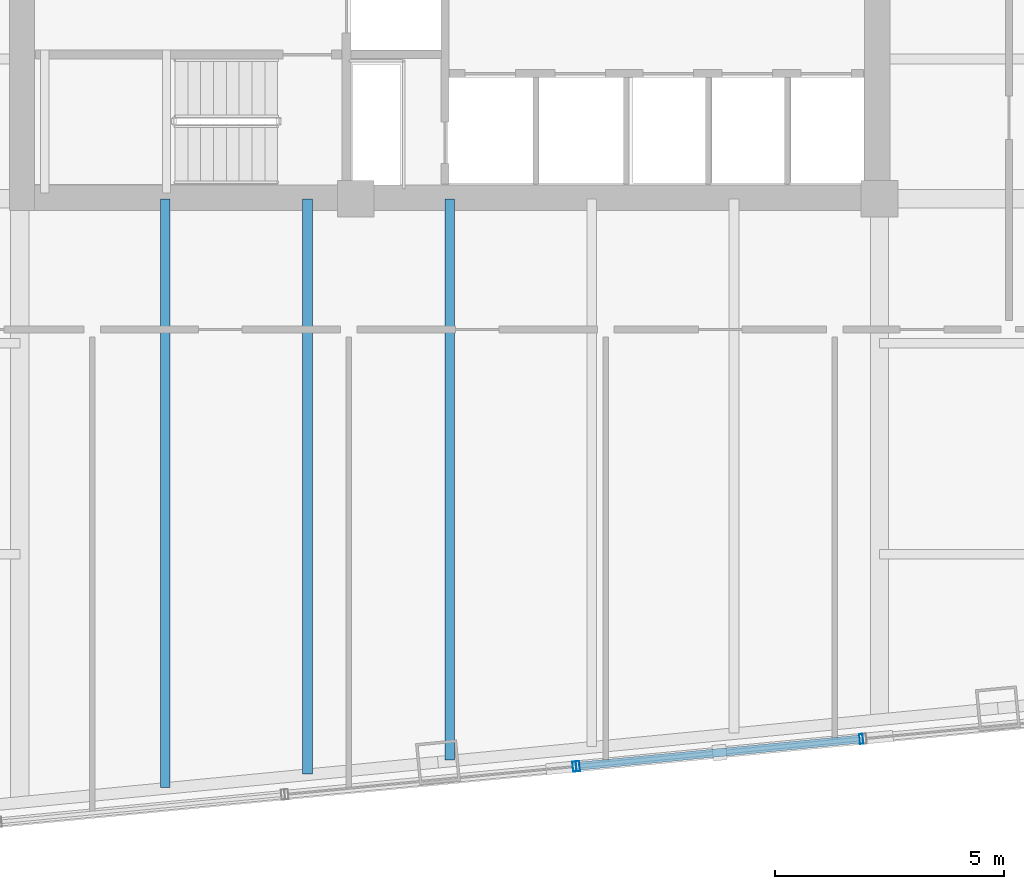
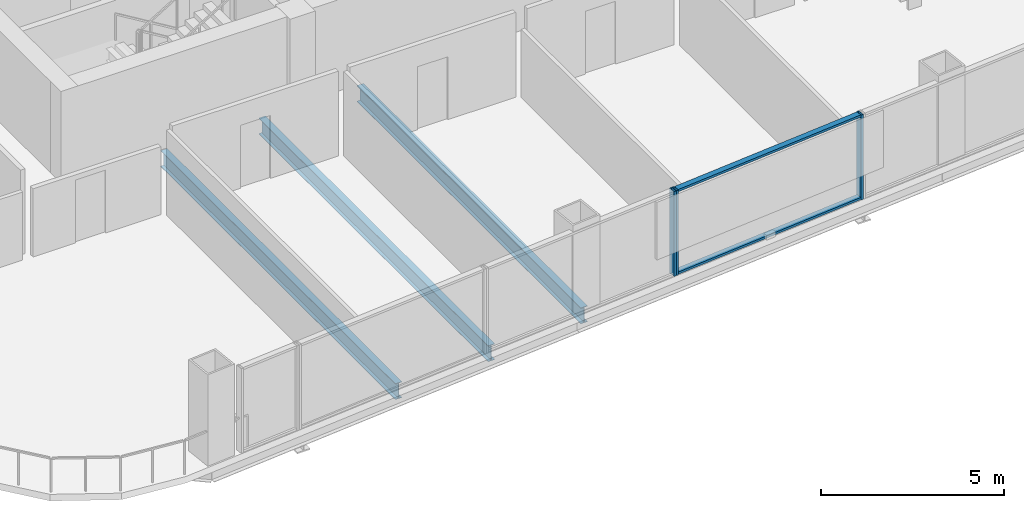
# One storey, part 5 of 34: 5 members, 3 beams, 2 elements without a shape of their own.
"""IFC4 building model written with IfcOpenShell, lengths in metres."""

from ifc_helpers import new_model, si_unit, direction, frame, origin, origin_2d, place, context, subcontext, project, spatial, hollow_rectangle, i_section, extrude, material, layer, layer_set, material_profile, profile_set, type_object, element, aggregate, save


model = new_model("IFC4")

# Units and contexts
model_context = context("Model", 3, precision=1e-05, world=origin(), true_north=direction((0.0, 1.0)))
body_context = subcontext(model_context, "Body", "Model", "MODEL_VIEW")
ifc_project = project(units=[si_unit("LENGTHUNIT", "METRE"), si_unit("AREAUNIT", "SQUARE_METRE"), si_unit("VOLUMEUNIT", "CUBIC_METRE"), si_unit("PLANEANGLEUNIT", "RADIAN"), si_unit("MASSUNIT", "GRAM", prefix="KILO")], contexts=[model_context])

# Site, building, storey
site_placement = place(None, origin())
site = spatial("IfcSite", under=ifc_project, at=site_placement, CompositionType="ELEMENT")
building_placement = place(site_placement, origin())
building = spatial("IfcBuilding", under=site, at=building_placement, Name="Qhalaya Broadcast Tower", CompositionType="ELEMENT")
storey_placement = place(building_placement, frame((0.0, 0.0, 78.60009765625)))
storey = spatial("IfcBuildingStorey", under=building, at=storey_placement, Name="L22", CompositionType="ELEMENT", Elevation=78.60009765625)

# Beams
ifc_material_1 = material(Name="Structural Steel ASTM A992 Grade 50", Category="steel")
ifc_material_profile_1 = material_profile(ifc_material_1, i_section(OverallWidth=0.2099609375, OverallDepth=0.535888671875, WebThickness=0.010986328125, FlangeThickness=0.017333984375, at=origin_2d()), Name="W21X68")
ifc_profile_set_1 = profile_set([ifc_material_profile_1], Name="Structural Steel ASTM A992 Grade 50")
beam_type = type_object("IfcBeamType", Name="Composite Floor Joist J02", PredefinedType="JOIST", material=ifc_profile_set_1)
beam_1_placement = place(storey_placement, frame((-6.199951171875, -21.589111328125, -0.488037109375), z_axis=(0.0, 1.0, 0.0), x_axis=(-1.0, 0.0, 0.0)))
element("IfcBeam", 1, at=beam_1_placement, inside=storey, type_object=beam_type, Name="L22 J02 L22-JNS1-1", PredefinedType="JOIST", context=body_context, shape_type="SweptSolid", body=[
    extrude(i_section(OverallWidth=0.2099609375, OverallDepth=0.535888671875, WebThickness=0.010986328125, FlangeThickness=0.017333984375, at=origin_2d()), origin(), (0.0, 0.0, 1.0), 12.839111328125),
])
beam_2_placement = place(storey_placement, frame((-3.10009765625, -21.290771484375, -0.488037109375), z_axis=(0.0, 1.0, 0.0), x_axis=(-1.0, 0.0, 0.0)))
element("IfcBeam", 2, at=beam_2_placement, inside=storey, type_object=beam_type, Name="L22 J02 L22-JNS2-1", PredefinedType="JOIST", context=body_context, shape_type="SweptSolid", body=[
    extrude(i_section(OverallWidth=0.2099609375, OverallDepth=0.535888671875, WebThickness=0.010986328125, FlangeThickness=0.017333984375, at=origin_2d()), origin(), (0.0, 0.0, 1.0), 12.540771484375),
])
beam_3_placement = place(storey_placement, frame((0.0, -20.9921875, -0.488037109375), z_axis=(0.0, 1.0, 0.0), x_axis=(-1.0, 0.0, 0.0)))
element("IfcBeam", 3, at=beam_3_placement, inside=storey, type_object=beam_type, Name="L22 J02 L22-JNS3-1", PredefinedType="JOIST", context=body_context, shape_type="SweptSolid", body=[
    extrude(i_section(OverallWidth=0.2099609375, OverallDepth=0.535888671875, WebThickness=0.010986328125, FlangeThickness=0.017333984375, at=origin_2d()), origin(), (0.0, 0.0, 1.0), 12.2421875),
])

# Curtain wall, member
ifc_material_2 = material(Name="Solar-Control Low-E Triple Glazing", Category="glass")
ifc_layer_1 = layer(ifc_material_2, 0.219970703125, Name="Solar-Control Low-E Triple Glazing")
ifc_layer_set_1 = layer_set([ifc_layer_1], Name="Solar-Control Low-E Triple Glazing")
curtain_wall_type_1 = type_object("IfcCurtainWallType", Name="Even-Block 4-Storey Double-Module Curtain Wall CW-03", PredefinedType="NOTDEFINED", material=ifc_layer_set_1)
curtain_wall_1_placement = place(storey_placement, origin())
curtain_wall_1 = element("IfcCurtainWall", 4, at=curtain_wall_1_placement, inside=storey, type_object=curtain_wall_type_1, Name="L22 Unitised Curtain Wall L22-CW-S3", PredefinedType="NOTDEFINED")
ifc_material_3 = material(Name="Anodised Aluminium 6063-T6", Category="aluminium")
ifc_material_profile_2 = material_profile(ifc_material_3, hollow_rectangle(XDim=0.074951171875, YDim=0.219970703125, WallThickness=0.00390625, at=origin_2d()), Name="ALU-MUL 75x220x4")
ifc_profile_set_2 = profile_set([ifc_material_profile_2], Name="Anodised Aluminium 6063-T6")
member_type_1 = type_object("IfcMemberType", Name="Unitised Curtain-Wall Mullion M01", PredefinedType="MULLION", material=ifc_profile_set_2)
member_1_placement = place(storey_placement, frame((2.722412109375, -21.132080078125, 0.0), z_axis=(0.0, 0.0, 1.0), x_axis=(0.99539731409, 0.095834164588, 0.0)))
member_1 = element("IfcMember", 5, at=member_1_placement, type_object=member_type_1, Name="CW-03 mullion 2", PredefinedType="MULLION", context=body_context, shape_type="SweptSolid", body=[
    extrude(hollow_rectangle(XDim=0.074951171875, YDim=0.219970703125, WallThickness=0.00390625, at=origin_2d()), origin(), (0.0, 0.0, 1.0), 2.829833984375),
])
aggregate(curtain_wall_1, [member_1])

# Curtain wall, members
ifc_material_4 = material(Name="Fired Architectural Terracotta", Category="masonry")
ifc_layer_2 = layer(ifc_material_4, 0.219970703125, Name="Fired Architectural Terracotta")
ifc_layer_set_2 = layer_set([ifc_layer_2], Name="Fired Architectural Terracotta")
curtain_wall_type_2 = type_object("IfcCurtainWallType", Name="Block-Cap Unitised Terracotta Spandrel Wall CW-07", PredefinedType="NOTDEFINED", material=ifc_layer_set_2)
curtain_wall_2_placement = place(storey_placement, origin())
curtain_wall_2 = element("IfcCurtainWall", 6, at=curtain_wall_2_placement, inside=storey, type_object=curtain_wall_type_2, Name="L22 Unitised Curtain Wall L22-CW-S4", PredefinedType="NOTDEFINED")
member_2_placement = place(storey_placement, frame((2.797119140625, -21.124755859375, 0.0), z_axis=(0.0, 0.0, 1.0), x_axis=(0.995394756218, 0.095860728627, 0.0)))
member_2 = element("IfcMember", 7, at=member_2_placement, type_object=member_type_1, Name="CW-07 mullion 1", PredefinedType="MULLION", context=body_context, shape_type="SweptSolid", body=[
    extrude(hollow_rectangle(XDim=0.074951171875, YDim=0.219970703125, WallThickness=0.00390625, at=origin_2d()), origin(), (0.0, 0.0, 1.0), 2.829833984375),
])
member_3_placement = place(storey_placement, frame((8.9755859375, -20.52978515625, 0.0), z_axis=(0.0, 0.0, 1.0), x_axis=(0.995394756218, 0.095860728627, 0.0)))
member_3 = element("IfcMember", 8, at=member_3_placement, type_object=member_type_1, Name="CW-07 mullion 2", PredefinedType="MULLION", context=body_context, shape_type="SweptSolid", body=[
    extrude(hollow_rectangle(XDim=0.074951171875, YDim=0.219970703125, WallThickness=0.00390625, at=origin_2d()), origin(), (0.0, 0.0, 1.0), 2.829833984375),
])
ifc_material_profile_3 = material_profile(ifc_material_3, hollow_rectangle(XDim=0.074951171875, YDim=0.179931640625, WallThickness=0.00390625, at=origin_2d()), Name="ALU-TRN 75x180x4")
ifc_profile_set_3 = profile_set([ifc_material_profile_3], Name="Anodised Aluminium 6063-T6")
member_type_2 = type_object("IfcMemberType", Name="Unitised Curtain-Wall Transom T01", PredefinedType="USERDEFINED", material=ifc_profile_set_3)
member_4_placement = place(storey_placement, frame((2.83447265625, -21.12109375, 0.037353515625), z_axis=(0.995397423268, 0.095833030591, 0.0), x_axis=(0.0, 0.0, 1.0)))
member_4 = element("IfcMember", 9, at=member_4_placement, type_object=member_type_2, Name="CW-07 transom 1.1", ObjectType="TRANSOM", PredefinedType="USERDEFINED", context=body_context, shape_type="SweptSolid", body=[
    extrude(hollow_rectangle(XDim=0.074951171875, YDim=0.179931640625, WallThickness=0.00390625, at=origin_2d()), origin(), (0.0, 0.0, 1.0), 6.132080078125),
])
member_5_placement = place(storey_placement, frame((2.83447265625, -21.12109375, 2.79248046875), z_axis=(0.995397423268, 0.095833030591, 0.0), x_axis=(0.0, 0.0, 1.0)))
member_5 = element("IfcMember", 10, at=member_5_placement, type_object=member_type_2, Name="CW-07 transom 1.2", ObjectType="TRANSOM", PredefinedType="USERDEFINED", context=body_context, shape_type="SweptSolid", body=[
    extrude(hollow_rectangle(XDim=0.074951171875, YDim=0.179931640625, WallThickness=0.00390625, at=origin_2d()), origin(), (0.0, 0.0, 1.0), 6.132080078125),
])
aggregate(curtain_wall_2, [member_2, member_3, member_4, member_5])

save(model, "model.ifc")
